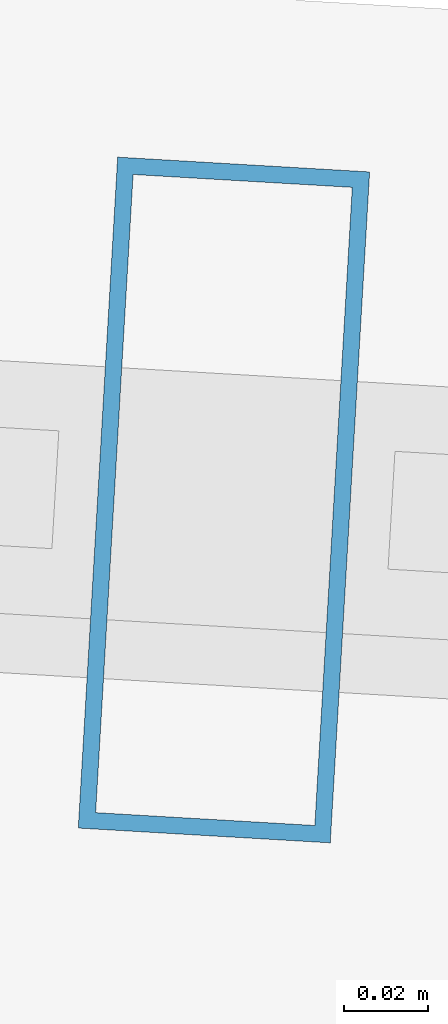
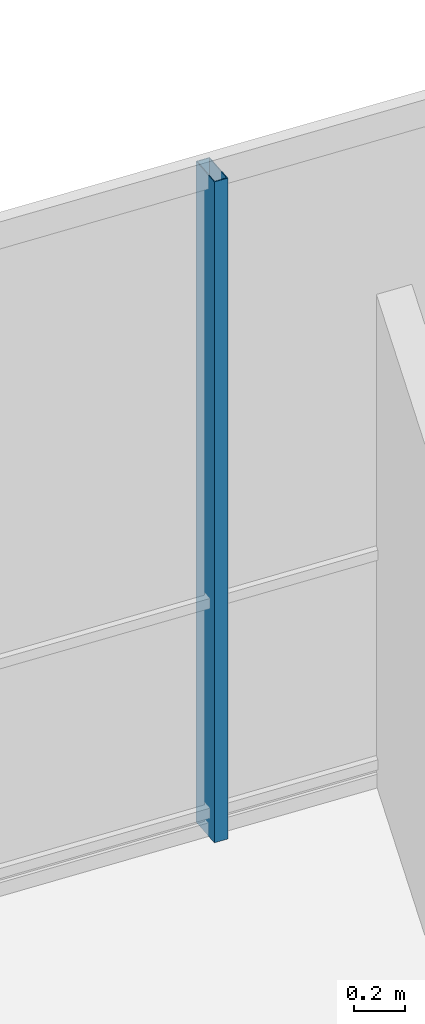
# One storey, part 20 of 28: 1 member, 1 element without a shape of its own.
"""IFC4 building model written with IfcOpenShell, lengths in metres."""

from ifc_helpers import new_model, si_unit, direction, frame, origin, origin_2d, place, context, subcontext, project, spatial, hollow_rectangle, extrude, material, layer, layer_set, material_profile, profile_set, type_object, element, aggregate, save


model = new_model("IFC4")

# Units and contexts
model_context = context("Model", 3, precision=1e-05, world=origin(), true_north=direction((0.0, 1.0)))
body_context = subcontext(model_context, "Body", "Model", "MODEL_VIEW")
ifc_project = project(units=[si_unit("LENGTHUNIT", "METRE"), si_unit("AREAUNIT", "SQUARE_METRE"), si_unit("VOLUMEUNIT", "CUBIC_METRE"), si_unit("PLANEANGLEUNIT", "RADIAN"), si_unit("MASSUNIT", "GRAM", prefix="KILO")], contexts=[model_context])

# Site, building, storey
site_placement = place(None, origin())
site = spatial("IfcSite", under=ifc_project, at=site_placement, CompositionType="ELEMENT")
building_placement = place(site_placement, origin())
building = spatial("IfcBuilding", under=site, at=building_placement, Name="Qarnah Convention Tower", CompositionType="ELEMENT")
storey_placement = place(building_placement, frame((0.0, 0.0, 54.60009765625)))
storey = spatial("IfcBuildingStorey", under=building, at=storey_placement, Name="L13", CompositionType="ELEMENT", Elevation=54.60009765625)

# Curtain wall, member
ifc_material_1 = material(Name="Tempered Low-E dark glass", Category="glass")
ifc_layer = layer(ifc_material_1, 0.16796875)
ifc_layer_set = layer_set([ifc_layer], Name="Tempered Low-E dark glass")
curtain_wall_type = type_object("IfcCurtainWallType", Name="CWS-01", PredefinedType="NOTDEFINED", material=ifc_layer_set)
curtain_wall_placement = place(storey_placement, origin())
curtain_wall = element("IfcCurtainWall", 1, at=curtain_wall_placement, inside=storey, type_object=curtain_wall_type, Name="L13 unitised curtain wall CW-L13-F1", PredefinedType="NOTDEFINED")
ifc_material_2 = material(Name="Black anodised aluminium", Category="aluminium")
ifc_material_profile = material_profile(ifc_material_2, hollow_rectangle(XDim=0.06005859375, YDim=0.159912109375, WallThickness=0.00390625, at=origin_2d()), Name="MUL-60X160")
ifc_profile_set = profile_set([ifc_material_profile], Name="Black anodised aluminium")
member_type = type_object("IfcMemberType", Name="MUL-T1", PredefinedType="MULLION", material=ifc_profile_set)
member_placement = place(storey_placement, frame((42.89404296875, 44.510009765625, 0.0), z_axis=(0.0, 0.0, 1.0), x_axis=(0.998280790884, -0.058612819006, 0.0)))
member = element("IfcMember", 2, at=member_placement, type_object=member_type, Name="CW-L13-F1 mullion 4", PredefinedType="MULLION", context=body_context, shape_type="SweptSolid", body=[
    extrude(hollow_rectangle(XDim=0.06005859375, YDim=0.159912109375, WallThickness=0.00390625, at=origin_2d()), origin(), (0.0, 0.0, 1.0), 3.169921875),
])
aggregate(curtain_wall, [member])

save(model, "model.ifc")
